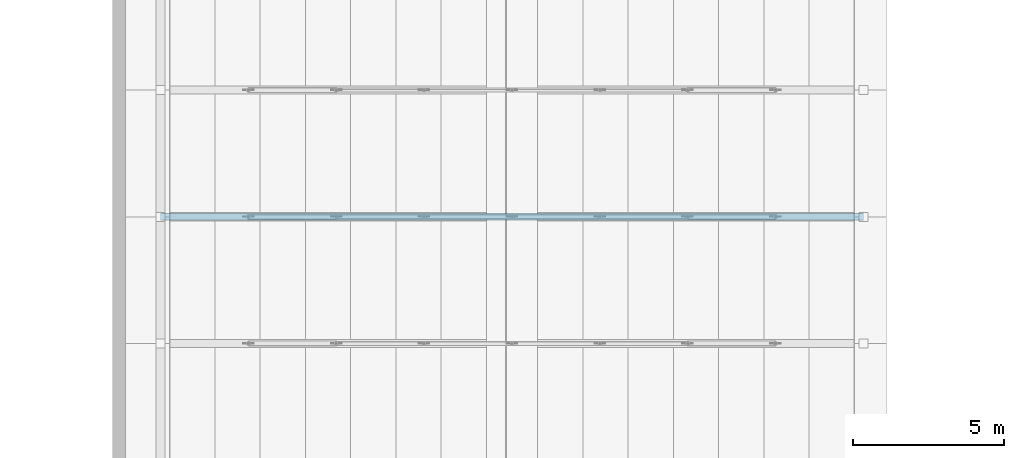
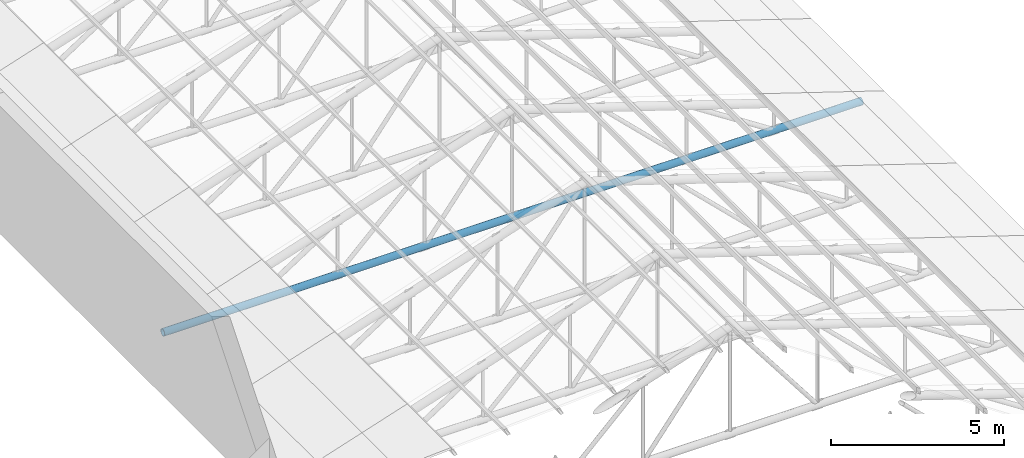
# One storey, part 38 of 95: 1 member.
"""IFC4 building model written with IfcOpenShell, lengths in metres."""

from ifc_helpers import new_model, si_unit, direction, frame, origin, origin_2d, place, context, subcontext, project, spatial, hollow_circle, extrude, material, material_profile, profile_set, type_object, element, save


model = new_model("IFC4")

# Units and contexts
model_context = context("Model", 3, precision=1e-05, world=origin(), true_north=direction((0.0, 1.0)))
body_context = subcontext(model_context, "Body", "Model", "MODEL_VIEW")
ifc_project = project(units=[si_unit("LENGTHUNIT", "METRE"), si_unit("AREAUNIT", "SQUARE_METRE"), si_unit("VOLUMEUNIT", "CUBIC_METRE"), si_unit("PLANEANGLEUNIT", "RADIAN"), si_unit("MASSUNIT", "GRAM", prefix="KILO")], contexts=[model_context])

# Site, building, storey
site_placement = place(None, origin())
site = spatial("IfcSite", under=ifc_project, at=site_placement, CompositionType="ELEMENT")
building_placement = place(site_placement, origin())
building = spatial("IfcBuilding", under=site, at=building_placement, Name="Kiln Court Media Centre", CompositionType="ELEMENT")
storey_placement = place(building_placement, frame((0.0, 0.0, 24.60009765625)))
storey = spatial("IfcBuildingStorey", under=building, at=storey_placement, Name="L05", CompositionType="ELEMENT", Elevation=24.60009765625)

# Member
ifc_material = material(Name="Steel ASTM A500 Gr C", Category="steel")
ifc_material_profile = material_profile(ifc_material, hollow_circle(Radius=0.122314453125, WallThickness=0.010009765625, at=origin_2d()), Name="CHS 244.5x10.0")
ifc_profile_set = profile_set([ifc_material_profile], Name="Steel ASTM A500 Gr C")
member_type = type_object("IfcMemberType", Name="Steel ASTM A500 Gr C CHS 244.5x10.0 truss chord", PredefinedType="CHORD", material=ifc_profile_set)
member_placement = place(storey_placement, frame((34.75, 50.39990234375, -0.013916015625), z_axis=(1.0, 0.0, 0.0), x_axis=(0.0, 1.0, 0.0)))
element("IfcMember", 1, at=member_placement, inside=storey, type_object=member_type, Name="foyer truss FT-07 bottom chord truss chord", PredefinedType="CHORD", context=body_context, shape_type="SweptSolid", body=[
    extrude(hollow_circle(Radius=0.122314453125, WallThickness=0.010009765625, at=origin_2d()), origin(), (0.0, 0.0, 1.0), 23.300048828125),
])

save(model, "model.ifc")
